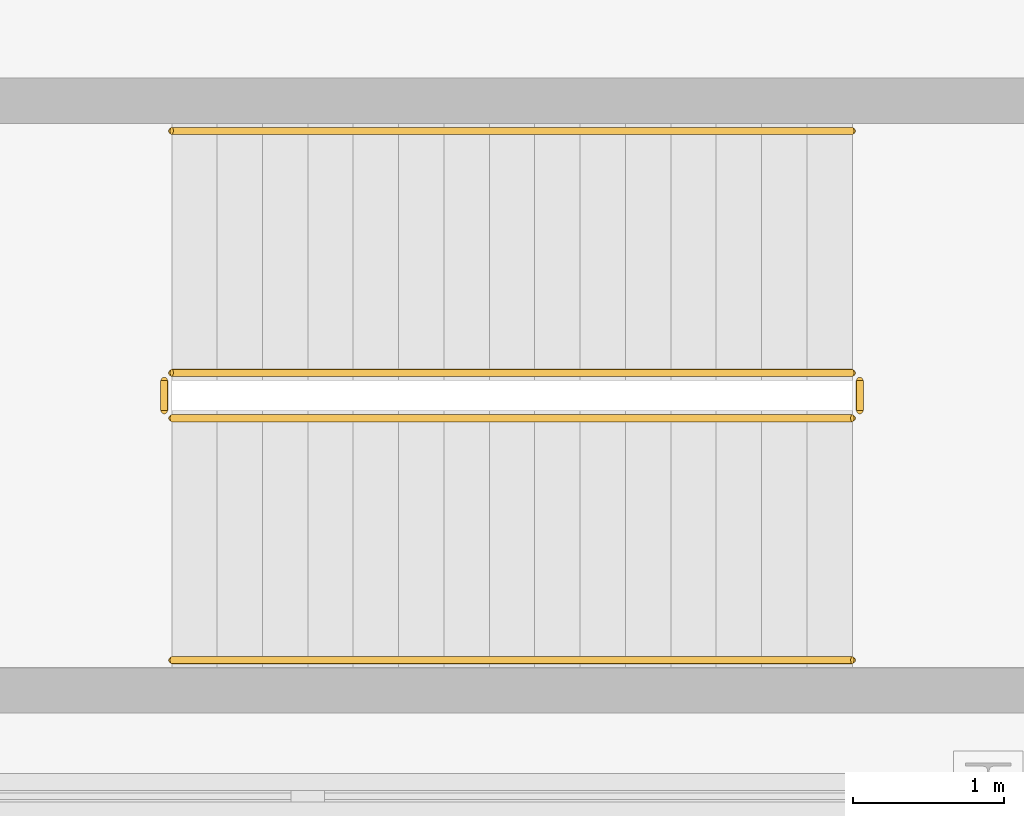
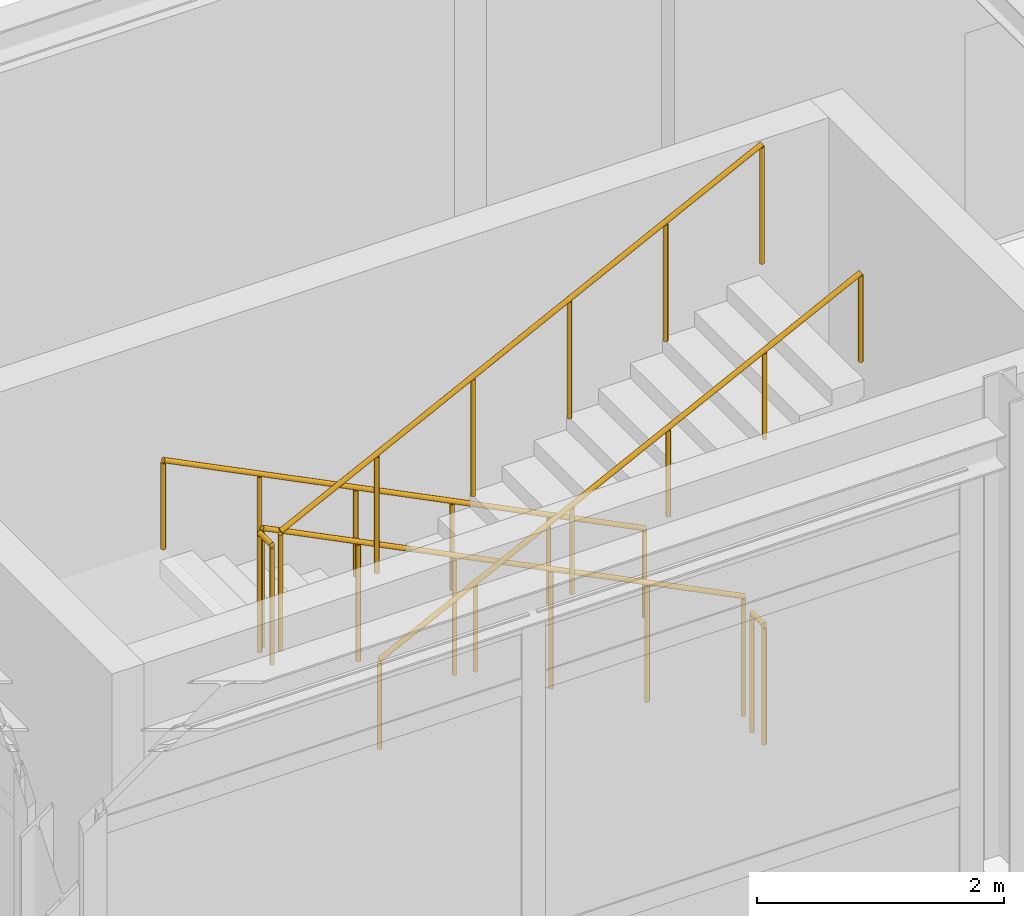
# One storey, part 85 of 90: 6 railings.
"""IFC4 building model written with IfcOpenShell, lengths in metres."""

from ifc_helpers import new_model, si_unit, direction, frame, origin, origin_2d, place, context, subcontext, project, spatial, circle, extrude, material, type_object, element, save


model = new_model("IFC4")

# Units and contexts
model_context = context("Model", 3, precision=1e-05, world=origin(), true_north=direction((0.0, 1.0)))
body_context = subcontext(model_context, "Body", "Model", "MODEL_VIEW")
ifc_project = project(units=[si_unit("LENGTHUNIT", "METRE"), si_unit("AREAUNIT", "SQUARE_METRE"), si_unit("VOLUMEUNIT", "CUBIC_METRE"), si_unit("PLANEANGLEUNIT", "RADIAN"), si_unit("MASSUNIT", "GRAM", prefix="KILO")], contexts=[model_context])

# Site, building, storey
site_placement = place(None, origin())
site = spatial("IfcSite", under=ifc_project, at=site_placement, CompositionType="ELEMENT")
building_placement = place(site_placement, origin())
building = spatial("IfcBuilding", under=site, at=building_placement, Name="Bozkorgan Art Gallery", CompositionType="ELEMENT")
storey_placement = place(building_placement, frame((0.0, 0.0, 5.39990234375)))
storey = spatial("IfcBuildingStorey", under=building, at=storey_placement, Name="L01", CompositionType="ELEMENT", Elevation=5.39990234375)

# Railings
ifc_material = material(Name="Steel S355J2", Category="steel")
railing_type_1 = type_object("IfcRailingType", Name="RAIL-GRD-115", PredefinedType="GUARDRAIL", material=ifc_material)
railing_1_placement = place(storey_placement, frame((91.10009765625, 4.800048828125, 0.150146484375)))
element("IfcRailing", 1, at=railing_1_placement, inside=storey, type_object=railing_type_1, Name="L01 ST6 stair guard 1", PredefinedType="GUARDRAIL", context=body_context, shape_type="SweptSolid", body=[
    extrude(circle(Radius=0.02392578125, at=origin_2d()), frame((0.0, 0.0, 1.17578125), z_axis=(-0.894427191, 0.0, 0.4472135955), x_axis=(0.0, -1.0, 0.0)), (0.0, 0.0, 1.0), 5.03125),
    extrude(circle(Radius=0.02099609375, at=origin_2d()), origin(), (0.0, 0.0, 1.0), 1.15185546875),
    extrude(circle(Radius=0.02099609375, at=origin_2d()), frame((-0.89990234375, 0.0, 0.449951171875)), (0.0, 0.0, 1.0), 1.15185546875),
    extrude(circle(Radius=0.02099609375, at=origin_2d()), frame((-1.800048828125, 0.0, 0.89990234375)), (0.0, 0.0, 1.0), 1.15185546875),
    extrude(circle(Radius=0.02099609375, at=origin_2d()), frame((-2.699951171875, 0.0, 1.35009765625)), (0.0, 0.0, 1.0), 1.15185546875),
    extrude(circle(Radius=0.02099609375, at=origin_2d()), frame((-3.60009765625, 0.0, 1.800048828125)), (0.0, 0.0, 1.0), 1.15185546875),
    extrude(circle(Radius=0.02099609375, at=origin_2d()), frame((-4.5, 0.0, 2.25)), (0.0, 0.0, 1.0), 1.15185546875),
])
railing_2_placement = place(storey_placement, frame((86.550048828125, 4.75, 2.400146484375)))
element("IfcRailing", 2, at=railing_2_placement, inside=storey, type_object=railing_type_1, Name="L01 ST6 stair guard 2", PredefinedType="GUARDRAIL", context=body_context, shape_type="SweptSolid", body=[
    extrude(circle(Radius=0.02392578125, at=origin_2d()), frame((0.0, 0.0, 1.17578125), z_axis=(0.0, -1.0, 0.0), x_axis=(1.0, 0.0, 0.0)), (0.0, 0.0, 1.0), 0.199951171875),
    extrude(circle(Radius=0.02099609375, at=origin_2d()), origin(), (0.0, 0.0, 1.0), 1.15185546875),
    extrude(circle(Radius=0.02099609375, at=origin_2d()), frame((0.0, -0.199951171875, 0.0)), (0.0, 0.0, 1.0), 1.15185546875),
])
railing_3_placement = place(storey_placement, frame((86.60009765625, 4.5, 2.550048828125)))
element("IfcRailing", 3, at=railing_3_placement, inside=storey, type_object=railing_type_1, Name="L01 ST6 stair guard 3", PredefinedType="GUARDRAIL", context=body_context, shape_type="SweptSolid", body=[
    extrude(circle(Radius=0.02392578125, at=origin_2d()), frame((0.0, 0.0, 1.17578125), z_axis=(0.894427191, 0.0, 0.4472135955), x_axis=(0.0, 1.0, 0.0)), (0.0, 0.0, 1.0), 5.03125),
    extrude(circle(Radius=0.02099609375, at=origin_2d()), origin(), (0.0, 0.0, 1.0), 1.15185546875),
    extrude(circle(Radius=0.02099609375, at=origin_2d()), frame((0.89990234375, 0.0, 0.449951171875)), (0.0, 0.0, 1.0), 1.15185546875),
    extrude(circle(Radius=0.02099609375, at=origin_2d()), frame((1.800048828125, 0.0, 0.89990234375)), (0.0, 0.0, 1.0), 1.15185546875),
    extrude(circle(Radius=0.02099609375, at=origin_2d()), frame((2.699951171875, 0.0, 1.35009765625)), (0.0, 0.0, 1.0), 1.15185546875),
    extrude(circle(Radius=0.02099609375, at=origin_2d()), frame((3.60009765625, 0.0, 1.800048828125)), (0.0, 0.0, 1.0), 1.15185546875),
    extrude(circle(Radius=0.02099609375, at=origin_2d()), frame((4.5, 0.0, 2.25)), (0.0, 0.0, 1.0), 1.15185546875),
])
railing_4_placement = place(storey_placement, frame((91.14990234375, 4.75, 0.0)))
element("IfcRailing", 4, at=railing_4_placement, inside=storey, type_object=railing_type_1, Name="L01 ST6 stair guard 4", PredefinedType="GUARDRAIL", context=body_context, shape_type="SweptSolid", body=[
    extrude(circle(Radius=0.02392578125, at=origin_2d()), frame((0.0, 0.0, 1.17578125), z_axis=(0.0, -1.0, 0.0), x_axis=(1.0, 0.0, 0.0)), (0.0, 0.0, 1.0), 0.199951171875),
    extrude(circle(Radius=0.02099609375, at=origin_2d()), origin(), (0.0, 0.0, 1.0), 1.15185546875),
    extrude(circle(Radius=0.02099609375, at=origin_2d()), frame((0.0, -0.199951171875, 0.0)), (0.0, 0.0, 1.0), 1.15185546875),
])
railing_type_2 = type_object("IfcRailingType", Name="RAIL-HND-092", PredefinedType="HANDRAIL", material=ifc_material)
railing_5_placement = place(storey_placement, frame((91.10009765625, 6.39990234375, 0.150146484375)))
element("IfcRailing", 5, at=railing_5_placement, inside=storey, type_object=railing_type_2, Name="L01 ST6 stair handrail 1", PredefinedType="HANDRAIL", context=body_context, shape_type="SweptSolid", body=[
    extrude(circle(Radius=0.02392578125, at=origin_2d()), frame((0.0, 0.0, 0.8759765625), z_axis=(-0.894427191, 0.0, 0.4472135955), x_axis=(0.0, -1.0, 0.0)), (0.0, 0.0, 1.0), 5.03125),
    extrude(circle(Radius=0.02099609375, at=origin_2d()), origin(), (0.0, 0.0, 1.0), 0.851806640625),
    extrude(circle(Radius=0.02099609375, at=origin_2d()), frame((-0.89990234375, 0.0, 0.449951171875)), (0.0, 0.0, 1.0), 0.851806640625),
    extrude(circle(Radius=0.02099609375, at=origin_2d()), frame((-1.800048828125, 0.0, 0.89990234375)), (0.0, 0.0, 1.0), 0.851806640625),
    extrude(circle(Radius=0.02099609375, at=origin_2d()), frame((-2.699951171875, 0.0, 1.35009765625)), (0.0, 0.0, 1.0), 0.851806640625),
    extrude(circle(Radius=0.02099609375, at=origin_2d()), frame((-3.60009765625, 0.0, 1.800048828125)), (0.0, 0.0, 1.0), 0.851806640625),
    extrude(circle(Radius=0.02099609375, at=origin_2d()), frame((-4.5, 0.0, 2.25)), (0.0, 0.0, 1.0), 0.851806640625),
])
railing_6_placement = place(storey_placement, frame((86.60009765625, 2.89990234375, 2.550048828125)))
element("IfcRailing", 6, at=railing_6_placement, inside=storey, type_object=railing_type_2, Name="L01 ST6 stair handrail 2", PredefinedType="HANDRAIL", context=body_context, shape_type="SweptSolid", body=[
    extrude(circle(Radius=0.02392578125, at=origin_2d()), frame((0.0, 0.0, 0.8759765625), z_axis=(0.894427191, 0.0, 0.4472135955), x_axis=(0.0, 1.0, 0.0)), (0.0, 0.0, 1.0), 5.03125),
    extrude(circle(Radius=0.02099609375, at=origin_2d()), origin(), (0.0, 0.0, 1.0), 0.851806640625),
    extrude(circle(Radius=0.02099609375, at=origin_2d()), frame((0.89990234375, 0.0, 0.449951171875)), (0.0, 0.0, 1.0), 0.851806640625),
    extrude(circle(Radius=0.02099609375, at=origin_2d()), frame((1.800048828125, 0.0, 0.89990234375)), (0.0, 0.0, 1.0), 0.851806640625),
    extrude(circle(Radius=0.02099609375, at=origin_2d()), frame((2.699951171875, 0.0, 1.35009765625)), (0.0, 0.0, 1.0), 0.851806640625),
    extrude(circle(Radius=0.02099609375, at=origin_2d()), frame((3.60009765625, 0.0, 1.800048828125)), (0.0, 0.0, 1.0), 0.851806640625),
    extrude(circle(Radius=0.02099609375, at=origin_2d()), frame((4.5, 0.0, 2.25)), (0.0, 0.0, 1.0), 0.851806640625),
])

save(model, "model.ifc")
